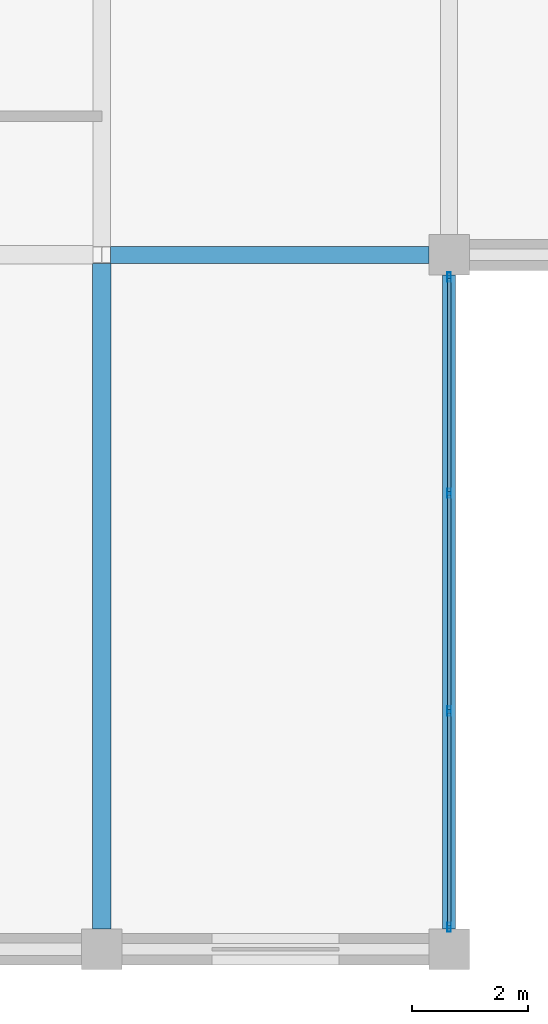
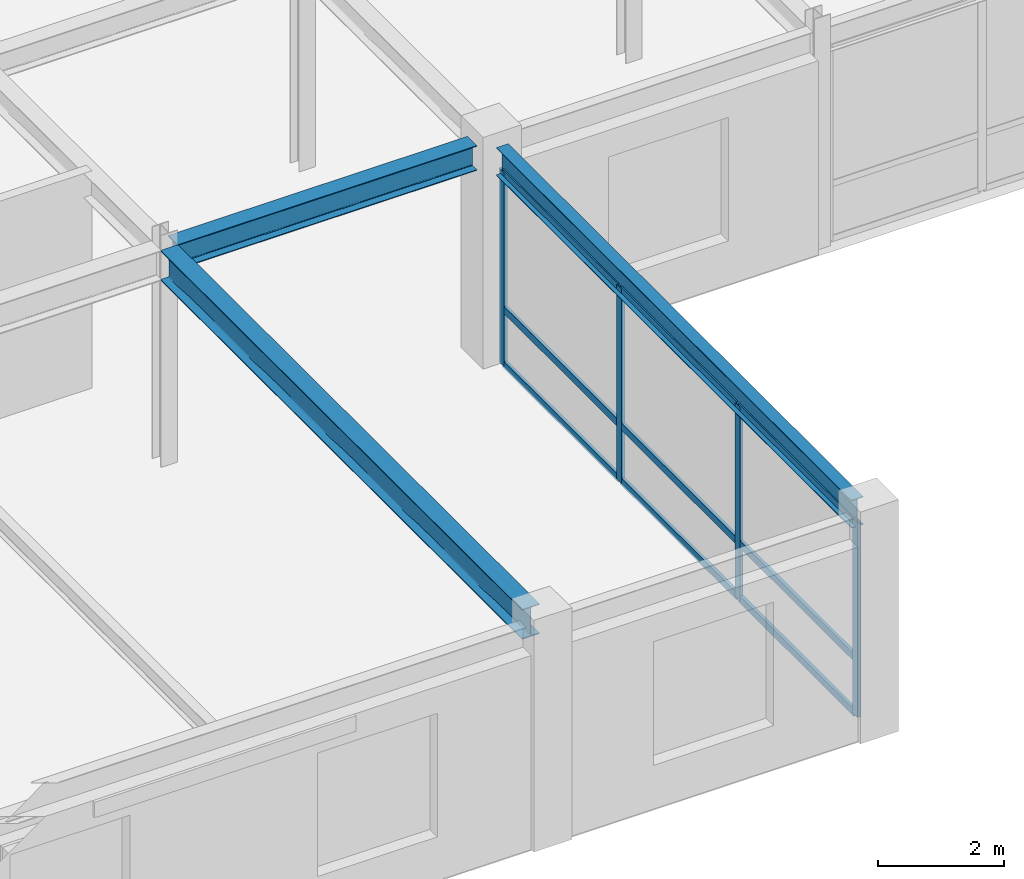
# One storey, part 30 of 108: 13 members, 3 beams, 1 element without a shape of its own.
"""IFC4 building model written with IfcOpenShell, lengths in metres."""

from ifc_helpers import new_model, si_unit, direction, frame, origin, origin_2d, place, context, subcontext, project, spatial, hollow_rectangle, i_section, extrude, material, layer, layer_set, material_profile, profile_set, type_object, element, aggregate, save


model = new_model("IFC4")

# Units and contexts
model_context = context("Model", 3, precision=1e-05, world=origin(), true_north=direction((0.0, 1.0)))
body_context = subcontext(model_context, "Body", "Model", "MODEL_VIEW")
ifc_project = project(units=[si_unit("LENGTHUNIT", "METRE"), si_unit("AREAUNIT", "SQUARE_METRE"), si_unit("VOLUMEUNIT", "CUBIC_METRE"), si_unit("PLANEANGLEUNIT", "RADIAN"), si_unit("MASSUNIT", "GRAM", prefix="KILO")], contexts=[model_context])

# Site, building, storey
site_placement = place(None, origin())
site = spatial("IfcSite", under=ifc_project, at=site_placement, CompositionType="ELEMENT")
building_placement = place(site_placement, origin())
building = spatial("IfcBuilding", under=site, at=building_placement, Name="Zlatovratsky Civic Hall", CompositionType="ELEMENT")
storey_placement = place(building_placement, frame((0.0, 0.0, 12.0)))
storey = spatial("IfcBuildingStorey", under=building, at=storey_placement, Name="L03", CompositionType="ELEMENT", Elevation=12.0)

# Beams
ifc_material_1 = material(Name="Steel S355", Category="steel")
ifc_material_profile_1 = material_profile(ifc_material_1, i_section(OverallWidth=0.300048828125, OverallDepth=0.48193359375, WebThickness=0.010986328125, FlangeThickness=0.014892578125, FilletRadius=0.02392578125, at=origin_2d()), Name="50Sh1")
ifc_profile_set_1 = profile_set([ifc_material_profile_1], Name="Steel S355")
beam_type_1 = type_object("IfcBeamType", Name="Beam_LibraryGirder_50Sh1", PredefinedType="BEAM", material=ifc_profile_set_1)
beam_1_placement = place(storey_placement, frame((48.1494140625, 12.0, 3.97900390625), z_axis=(1.0, 0.0, 0.0), x_axis=(0.0, 1.0, 0.0)))
element("IfcBeam", 1, at=beam_1_placement, inside=storey, type_object=beam_type_1, Name="BM-2486", PredefinedType="BEAM", context=body_context, shape_type="SweptSolid", body=[
    extrude(i_section(OverallWidth=0.300048828125, OverallDepth=0.48193359375, WebThickness=0.010986328125, FlangeThickness=0.014892578125, FilletRadius=0.02392578125, at=origin_2d()), origin(), (0.0, 0.0, 1.0), 5.50048828125),
])
ifc_material_profile_2 = material_profile(ifc_material_1, i_section(OverallWidth=0.320068359375, OverallDepth=0.58203125, WebThickness=0.011962890625, FlangeThickness=0.01708984375, FilletRadius=0.02392578125, at=origin_2d()), Name="60Sh1")
ifc_profile_set_2 = profile_set([ifc_material_profile_2], Name="Steel S355")
beam_type_2 = type_object("IfcBeamType", Name="Beam_PodiumGirder_60Sh1", PredefinedType="BEAM", material=ifc_profile_set_2)
beam_2_placement = place(storey_placement, frame((48.0, 0.35009765625, 3.928955078125), z_axis=(0.0, 1.0, 0.0), x_axis=(-1.0, 0.0, 0.0)))
element("IfcBeam", 2, at=beam_2_placement, inside=storey, type_object=beam_type_2, Name="BM-2866", PredefinedType="BEAM", context=body_context, shape_type="SweptSolid", body=[
    extrude(i_section(OverallWidth=0.320068359375, OverallDepth=0.58203125, WebThickness=0.011962890625, FlangeThickness=0.01708984375, FilletRadius=0.02392578125, at=origin_2d()), origin(), (0.0, 0.0, 1.0), 11.501953125),
])
ifc_material_profile_3 = material_profile(ifc_material_1, i_section(OverallWidth=0.219970703125, OverallDepth=0.54296875, WebThickness=0.009521484375, FlangeThickness=0.013427734375, FilletRadius=0.01806640625, at=origin_2d()), Name="55B1")
ifc_profile_set_3 = profile_set([ifc_material_profile_3], Name="Steel S355")
beam_type_3 = type_object("IfcBeamType", Name="Beam_Spandrel_55B1", PredefinedType="SPANDREL", material=ifc_profile_set_3)
beam_3_placement = place(storey_placement, frame((54.0, 0.35009765625, 3.948486328125), z_axis=(0.0, 1.0, 0.0), x_axis=(-1.0, 0.0, 0.0)))
element("IfcBeam", 3, at=beam_3_placement, inside=storey, type_object=beam_type_3, Name="BM-2883", PredefinedType="SPANDREL", context=body_context, shape_type="SweptSolid", body=[
    extrude(i_section(OverallWidth=0.219970703125, OverallDepth=0.54296875, WebThickness=0.009521484375, FlangeThickness=0.013427734375, FilletRadius=0.01806640625, at=origin_2d()), origin(), (0.0, 0.0, 1.0), 11.2998046875),
])

# Curtain wall, members
ifc_material_2 = material(Name="Anodised bronze aluminium", Category="aluminium")
ifc_layer = layer(ifc_material_2, 0.159912109375)
ifc_layer_set = layer_set([ifc_layer], Name="Anodised bronze aluminium")
curtain_wall_type = type_object("IfcCurtainWallType", Name="CurtainWall_Bronze_11300x3770_07", PredefinedType="NOTDEFINED", material=ifc_layer_set)
curtain_wall_placement = place(storey_placement, origin())
curtain_wall = element("IfcCurtainWall", 4, at=curtain_wall_placement, inside=storey, type_object=curtain_wall_type, Name="CW-045", PredefinedType="NOTDEFINED")
ifc_material_profile_4 = material_profile(ifc_material_2, hollow_rectangle(XDim=0.06005859375, YDim=0.159912109375, WallThickness=0.00390625, at=origin_2d()), Name="ALU 60x160x4")
ifc_profile_set_4 = profile_set([ifc_material_profile_4], Name="Anodised bronze aluminium")
member_type_1 = type_object("IfcMemberType", Name="CW_Mullion_60x160", PredefinedType="MULLION", material=ifc_profile_set_4)
member_1_placement = place(storey_placement, frame((54.0, 0.3798828125, 0.0), z_axis=(0.0, 0.0, 1.0), x_axis=(-1.0, 0.0, 0.0)))
member_1 = element("IfcMember", 5, at=member_1_placement, type_object=member_type_1, Name="CW-07 mullion 1", PredefinedType="MULLION", context=body_context, shape_type="SweptSolid", body=[
    extrude(hollow_rectangle(XDim=0.06005859375, YDim=0.159912109375, WallThickness=0.00390625, at=origin_2d()), origin(), (0.0, 0.0, 1.0), 3.77001953125),
])
member_2_placement = place(storey_placement, frame((54.0, 4.11669921875, 0.0), z_axis=(0.0, 0.0, 1.0), x_axis=(-1.0, 0.0, 0.0)))
member_2 = element("IfcMember", 6, at=member_2_placement, type_object=member_type_1, Name="CW-07 mullion 2", PredefinedType="MULLION", context=body_context, shape_type="SweptSolid", body=[
    extrude(hollow_rectangle(XDim=0.06005859375, YDim=0.159912109375, WallThickness=0.00390625, at=origin_2d()), origin(), (0.0, 0.0, 1.0), 3.77001953125),
])
member_3_placement = place(storey_placement, frame((54.0, 7.88330078125, 0.0), z_axis=(0.0, 0.0, 1.0), x_axis=(-1.0, 0.0, 0.0)))
member_3 = element("IfcMember", 7, at=member_3_placement, type_object=member_type_1, Name="CW-07 mullion 3", PredefinedType="MULLION", context=body_context, shape_type="SweptSolid", body=[
    extrude(hollow_rectangle(XDim=0.06005859375, YDim=0.159912109375, WallThickness=0.00390625, at=origin_2d()), origin(), (0.0, 0.0, 1.0), 3.77001953125),
])
member_4_placement = place(storey_placement, frame((54.0, 11.6201171875, 0.0), z_axis=(0.0, 0.0, 1.0), x_axis=(-1.0, 0.0, 0.0)))
member_4 = element("IfcMember", 8, at=member_4_placement, type_object=member_type_1, Name="CW-07 mullion 4", PredefinedType="MULLION", context=body_context, shape_type="SweptSolid", body=[
    extrude(hollow_rectangle(XDim=0.06005859375, YDim=0.159912109375, WallThickness=0.00390625, at=origin_2d()), origin(), (0.0, 0.0, 1.0), 3.77001953125),
])
ifc_material_profile_5 = material_profile(ifc_material_2, hollow_rectangle(XDim=0.06005859375, YDim=0.139892578125, WallThickness=0.00390625, at=origin_2d()), Name="ALU 60x140x4")
ifc_profile_set_5 = profile_set([ifc_material_profile_5], Name="Anodised bronze aluminium")
member_type_2 = type_object("IfcMemberType", Name="CW_Transom_60x140", PredefinedType="USERDEFINED", material=ifc_profile_set_5)
member_5_placement = place(storey_placement, frame((54.0, 0.409912109375, 0.030029296875), z_axis=(0.0, 1.0, 0.0), x_axis=(-1.0, 0.0, 0.0)))
member_5 = element("IfcMember", 9, at=member_5_placement, type_object=member_type_2, Name="CW-07 transom 1.1", ObjectType="TRANSOM", PredefinedType="USERDEFINED", context=body_context, shape_type="SweptSolid", body=[
    extrude(hollow_rectangle(XDim=0.06005859375, YDim=0.139892578125, WallThickness=0.00390625, at=origin_2d()), origin(), (0.0, 0.0, 1.0), 3.6767578125),
])
member_6_placement = place(storey_placement, frame((54.0, 0.409912109375, 1.10009765625), z_axis=(0.0, 1.0, 0.0), x_axis=(-1.0, 0.0, 0.0)))
member_6 = element("IfcMember", 10, at=member_6_placement, type_object=member_type_2, Name="CW-07 transom 1.2", ObjectType="TRANSOM", PredefinedType="USERDEFINED", context=body_context, shape_type="SweptSolid", body=[
    extrude(hollow_rectangle(XDim=0.06005859375, YDim=0.139892578125, WallThickness=0.00390625, at=origin_2d()), origin(), (0.0, 0.0, 1.0), 3.6767578125),
])
member_7_placement = place(storey_placement, frame((54.0, 0.409912109375, 3.739990234375), z_axis=(0.0, 1.0, 0.0), x_axis=(-1.0, 0.0, 0.0)))
member_7 = element("IfcMember", 11, at=member_7_placement, type_object=member_type_2, Name="CW-07 transom 1.3", ObjectType="TRANSOM", PredefinedType="USERDEFINED", context=body_context, shape_type="SweptSolid", body=[
    extrude(hollow_rectangle(XDim=0.06005859375, YDim=0.139892578125, WallThickness=0.00390625, at=origin_2d()), origin(), (0.0, 0.0, 1.0), 3.6767578125),
])
member_8_placement = place(storey_placement, frame((54.0, 4.146728515625, 0.030029296875), z_axis=(0.0, 1.0, 0.0), x_axis=(-1.0, 0.0, 0.0)))
member_8 = element("IfcMember", 12, at=member_8_placement, type_object=member_type_2, Name="CW-07 transom 2.1", ObjectType="TRANSOM", PredefinedType="USERDEFINED", context=body_context, shape_type="SweptSolid", body=[
    extrude(hollow_rectangle(XDim=0.06005859375, YDim=0.139892578125, WallThickness=0.00390625, at=origin_2d()), origin(), (0.0, 0.0, 1.0), 3.70654296875),
])
member_9_placement = place(storey_placement, frame((54.0, 4.146728515625, 1.10009765625), z_axis=(0.0, 1.0, 0.0), x_axis=(-1.0, 0.0, 0.0)))
member_9 = element("IfcMember", 13, at=member_9_placement, type_object=member_type_2, Name="CW-07 transom 2.2", ObjectType="TRANSOM", PredefinedType="USERDEFINED", context=body_context, shape_type="SweptSolid", body=[
    extrude(hollow_rectangle(XDim=0.06005859375, YDim=0.139892578125, WallThickness=0.00390625, at=origin_2d()), origin(), (0.0, 0.0, 1.0), 3.70654296875),
])
member_10_placement = place(storey_placement, frame((54.0, 4.146728515625, 3.739990234375), z_axis=(0.0, 1.0, 0.0), x_axis=(-1.0, 0.0, 0.0)))
member_10 = element("IfcMember", 14, at=member_10_placement, type_object=member_type_2, Name="CW-07 transom 2.3", ObjectType="TRANSOM", PredefinedType="USERDEFINED", context=body_context, shape_type="SweptSolid", body=[
    extrude(hollow_rectangle(XDim=0.06005859375, YDim=0.139892578125, WallThickness=0.00390625, at=origin_2d()), origin(), (0.0, 0.0, 1.0), 3.70654296875),
])
member_11_placement = place(storey_placement, frame((54.0, 7.913330078125, 0.030029296875), z_axis=(0.0, 1.0, 0.0), x_axis=(-1.0, 0.0, 0.0)))
member_11 = element("IfcMember", 15, at=member_11_placement, type_object=member_type_2, Name="CW-07 transom 3.1", ObjectType="TRANSOM", PredefinedType="USERDEFINED", context=body_context, shape_type="SweptSolid", body=[
    extrude(hollow_rectangle(XDim=0.06005859375, YDim=0.139892578125, WallThickness=0.00390625, at=origin_2d()), origin(), (0.0, 0.0, 1.0), 3.6767578125),
])
member_12_placement = place(storey_placement, frame((54.0, 7.913330078125, 1.10009765625), z_axis=(0.0, 1.0, 0.0), x_axis=(-1.0, 0.0, 0.0)))
member_12 = element("IfcMember", 16, at=member_12_placement, type_object=member_type_2, Name="CW-07 transom 3.2", ObjectType="TRANSOM", PredefinedType="USERDEFINED", context=body_context, shape_type="SweptSolid", body=[
    extrude(hollow_rectangle(XDim=0.06005859375, YDim=0.139892578125, WallThickness=0.00390625, at=origin_2d()), origin(), (0.0, 0.0, 1.0), 3.6767578125),
])
member_13_placement = place(storey_placement, frame((54.0, 7.913330078125, 3.739990234375), z_axis=(0.0, 1.0, 0.0), x_axis=(-1.0, 0.0, 0.0)))
member_13 = element("IfcMember", 17, at=member_13_placement, type_object=member_type_2, Name="CW-07 transom 3.3", ObjectType="TRANSOM", PredefinedType="USERDEFINED", context=body_context, shape_type="SweptSolid", body=[
    extrude(hollow_rectangle(XDim=0.06005859375, YDim=0.139892578125, WallThickness=0.00390625, at=origin_2d()), origin(), (0.0, 0.0, 1.0), 3.6767578125),
])
aggregate(curtain_wall, [member_1, member_2, member_3, member_4, member_5, member_6, member_7, member_8, member_9, member_10, member_11, member_12, member_13])

save(model, "model.ifc")
